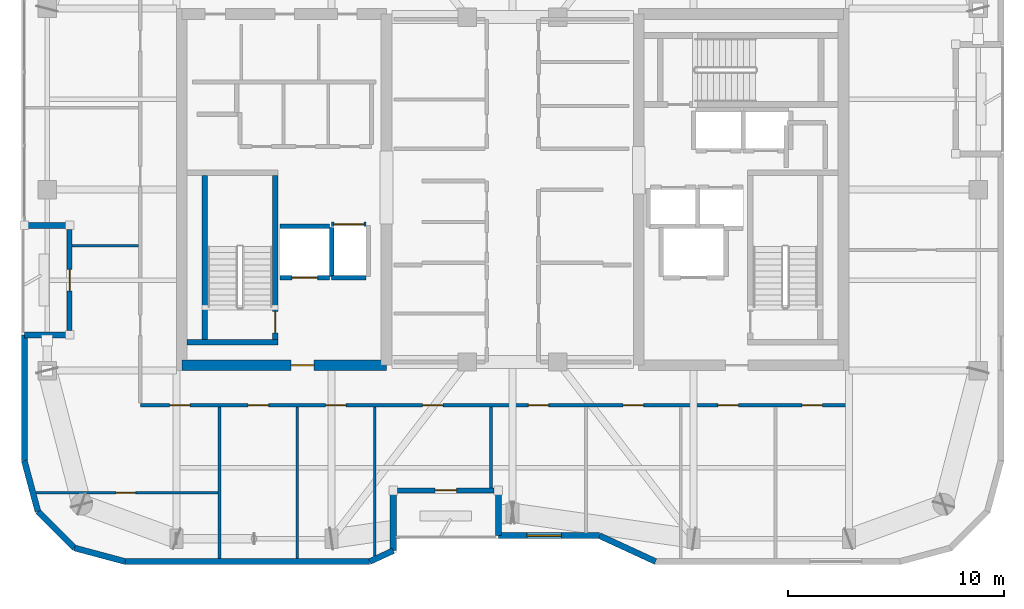
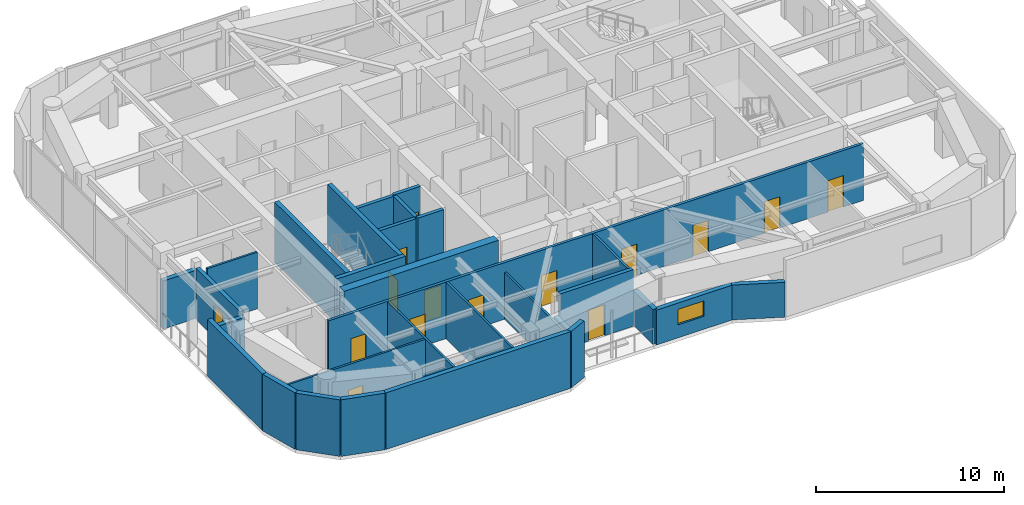
# One storey, part 10 of 16: 30 walls, 15 doors, 1 window, 16 openings.
"""IFC4 building model written with IfcOpenShell, lengths in metres."""

from ifc_helpers import new_model, si_unit, direction, frame, frame_2d, origin, place, context, subcontext, project, spatial, rectangle, extrude, material, layer, layer_set, type_object, element, fill, save


model = new_model("IFC4")

# Units and contexts
model_context = context("Model", 3, precision=1e-05, world=origin(), true_north=direction((0.0, 1.0)))
body_context = subcontext(model_context, "Body", "Model", "MODEL_VIEW")
ifc_project = project(units=[si_unit("LENGTHUNIT", "METRE"), si_unit("AREAUNIT", "SQUARE_METRE"), si_unit("VOLUMEUNIT", "CUBIC_METRE"), si_unit("PLANEANGLEUNIT", "RADIAN"), si_unit("MASSUNIT", "GRAM", prefix="KILO")], contexts=[model_context])

# Site, building, storey
site_placement = place(None, origin())
site = spatial("IfcSite", under=ifc_project, at=site_placement, CompositionType="ELEMENT")
building_placement = place(site_placement, origin())
building = spatial("IfcBuilding", under=site, at=building_placement, Name="Kiyonajd Concourse Tower", CompositionType="ELEMENT")
storey_placement = place(building_placement, frame((0.0, 0.0, 310.199951171875)))
storey = spatial("IfcBuildingStorey", under=building, at=storey_placement, Name="L78", CompositionType="ELEMENT", Elevation=310.199951171875)

# Wall, opening, door
ifc_material_1 = material(Name="Concrete C60/75", Category="concrete")
ifc_layer_1 = layer(ifc_material_1, 0.5)
ifc_layer_set_1 = layer_set([ifc_layer_1], Name="Concrete C60/75")
wall_type_1 = type_object("IfcWallType", Name="WL-CORE-500", PredefinedType="SHEAR", material=ifc_layer_set_1)
wall_1_placement = place(storey_placement, frame((32.64990234375, 27.85009765625, 0.0), z_axis=(0.0, 0.0, 1.0), x_axis=(1.0, 0.0, 0.0)))
wall_1 = element("IfcWall", 1, at=wall_1_placement, inside=storey, type_object=wall_type_1, Name="L78 West Core South Shear Wall", PredefinedType="SHEAR", context=body_context, shape_type="SweptSolid", body=[
    extrude(rectangle(XDim=9.5, YDim=0.5, at=frame_2d((4.75, 0.0))), origin(), (0.0, 0.0, 1.0), 3.900146484375),
])
opening_1_placement = place(wall_1_placement, frame((5.074951171875, 0.0, 0.0)))
opening_1 = element("IfcOpeningElement", 2, at=opening_1_placement, cuts=wall_1, Name="Opening DF5", PredefinedType="OPENING", context=body_context, shape_type="SweptSolid", body=[
    extrude(rectangle(XDim=1.050048828125, YDim=2.0400390625, at=frame_2d((0.52490234375, 1.02001953125))), frame((0.0, 0.260009765625, 0.0), z_axis=(0.0, -1.0, 0.0), x_axis=(1.0, 0.0, 0.0)), (0.0, 0.0, 1.0), 0.52001953125),
])
ifc_material_2 = material(Name="Brushed Stainless Steel Cab Assembly", Category="steel")
door_type_1 = type_object("IfcDoorType", Name="DR-FD45-1050", OperationType="NOTDEFINED", PredefinedType="DOOR", material=ifc_material_2)
door_1_placement = place(opening_1_placement, origin())
door_1 = element("IfcDoor", 3, at=door_1_placement, inside=storey, type_object=door_type_1, Name="L78 Firefighting Lift Lobby W Smoke Door", OperationType="SINGLE_SWING_LEFT", OverallHeight=2.0400390625, OverallWidth=1.050048828125, PredefinedType="DOOR", context=body_context, shape_type="SweptSolid", body=[
    extrude(rectangle(XDim=1.050048828125, YDim=2.0400390625, at=frame_2d((0.52490234375, 1.02001953125))), frame((0.0, 0.02490234375, 0.0), z_axis=(0.0, -1.0, 0.0), x_axis=(1.0, 0.0, 0.0)), (0.0, 0.0, 1.0), 0.050048828125),
])
fill(opening_1, door_1)

# Walls
ifc_material_3 = material(Name="Precast concrete C50/60", Category="concrete")
ifc_layer_2 = layer(ifc_material_3, 0.280029296875)
ifc_layer_set_2 = layer_set([ifc_layer_2], Name="Precast concrete C50/60")
wall_type_2 = type_object("IfcWallType", Name="WL-EXT-280", PredefinedType="SOLIDWALL", material=ifc_layer_set_2)
wall_2_placement = place(storey_placement, frame((25.968505859375, 21.072509765625, 0.0), z_axis=(0.0, 0.0, 1.0), x_axis=(-0.258751159445, 0.965944013639, 0.0)))
element("IfcWall", 4, at=wall_2_placement, inside=storey, type_object=wall_type_2, Name="L78 Exterior Concrete Frame Wall 00", PredefinedType="SOLIDWALL", context=body_context, shape_type="SweptSolid", body=[
    extrude(rectangle(XDim=2.4287109375, YDim=0.280029296875, at=frame_2d((1.21435546875, 0.0))), origin(), (0.0, 0.0, 1.0), 3.679931640625),
])
wall_3_placement = place(storey_placement, frame((25.340087890625, 23.41845703125, 0.0), z_axis=(0.0, 0.0, 1.0), x_axis=(0.0, 1.0, 0.0)))
element("IfcWall", 5, at=wall_3_placement, inside=storey, type_object=wall_type_2, Name="L78 Exterior Concrete Frame Wall 01", PredefinedType="SOLIDWALL", context=body_context, shape_type="SweptSolid", body=[
    extrude(rectangle(XDim=5.841552734375, YDim=0.280029296875, at=frame_2d((2.9208984375, 0.0))), origin(), (0.0, 0.0, 1.0), 3.679931640625),
])
for number, where, z_axis, x_axis, name in (
    (6, (25.340087890625, 29.260009765625, 0.0), (0.0, 0.0, 1.0), (1.0, 0.0, 0.0), "L78 Exterior Concrete Frame Wall 02"),
    (7, (27.43994140625, 34.340087890625, 0.0), (0.0, 0.0, 1.0), (-1.0, 0.0, 0.0), "L78 Exterior Concrete Frame Wall 04"),
):
    element("IfcWall", number, at=place(storey_placement, frame(where, z_axis=z_axis, x_axis=x_axis)), inside=storey, type_object=wall_type_2, Name=name, PredefinedType="SOLIDWALL", context=body_context, shape_type="SweptSolid", body=[
        extrude(rectangle(XDim=2.099853515625, YDim=0.280029296875, at=frame_2d((1.0498046875, 0.0))), origin(), (0.0, 0.0, 1.0), 3.1259765625),
    ])
wall_4_placement = place(storey_placement, frame((54.630615234375, 18.739990234375, 0.0), z_axis=(0.0, 0.0, 1.0), x_axis=(-0.907956889006, 0.419063584324, 0.0)))
element("IfcWall", 8, at=wall_4_placement, inside=storey, type_object=wall_type_2, Name="L78 Exterior Concrete Frame Wall 29", PredefinedType="SOLIDWALL", context=body_context, shape_type="SweptSolid", body=[
    extrude(rectangle(XDim=2.863525390625, YDim=0.280029296875, at=frame_2d((1.431640625, 0.0))), origin(), (0.0, 0.0, 1.0), 2.26513671875),
])

# Wall, opening, window
wall_5_placement = place(storey_placement, frame((52.03076171875, 19.93994140625, 0.0), z_axis=(0.0, 0.0, 1.0), x_axis=(-1.0, 0.0, 0.0)))
wall_5 = element("IfcWall", 9, at=wall_5_placement, inside=storey, type_object=wall_type_2, Name="L78 Exterior Concrete Frame Wall 30", PredefinedType="SOLIDWALL", context=body_context, shape_type="SweptSolid", body=[
    extrude(rectangle(XDim=4.690673828125, YDim=0.280029296875, at=frame_2d((2.34521484375, 0.0))), origin(), (0.0, 0.0, 1.0), 2.26513671875),
])
opening_2_placement = place(wall_5_placement, frame((1.76611328125, 0.0, 0.85009765625)))
opening_2 = element("IfcOpeningElement", 10, at=opening_2_placement, cuts=wall_5, Name="Opening WN6", PredefinedType="OPENING", context=body_context, shape_type="SweptSolid", body=[
    extrude(rectangle(XDim=1.60009765625, YDim=1.0, at=frame_2d((0.800048828125, 0.5))), frame((0.0, 0.14990234375, 0.0), z_axis=(0.0, -1.0, 0.0), x_axis=(1.0, 0.0, 0.0)), (0.0, 0.0, 1.0), 0.300048828125),
])
ifc_material_4 = material(Name="Double Low-E Insulated Glass", Category="glass")
window_type = type_object("IfcWindowType", Name="WN-VIS-1600x1000", PartitioningType="SINGLE_PANEL", PredefinedType="WINDOW", material=ifc_material_4)
window_placement = place(opening_2_placement, origin())
window = element("IfcWindow", 11, at=window_placement, inside=storey, type_object=window_type, Name="L78 Modular Facade Vision Window 30", OverallHeight=1.0, OverallWidth=1.60009765625, PartitioningType="SINGLE_PANEL", PredefinedType="WINDOW", context=body_context, shape_type="SweptSolid", body=[
    extrude(rectangle(XDim=1.60009765625, YDim=1.0, at=frame_2d((0.800048828125, 0.5))), frame((0.0, 0.030029296875, 0.0), z_axis=(0.0, -1.0, 0.0), x_axis=(1.0, 0.0, 0.0)), (0.0, 0.0, 1.0), 0.06005859375),
])
fill(opening_2, window)

# Walls
wall_6_placement = place(storey_placement, frame((47.340087890625, 19.93994140625, 0.0), z_axis=(0.0, 0.0, 1.0), x_axis=(0.0, 1.0, 0.0)))
element("IfcWall", 12, at=wall_6_placement, inside=storey, type_object=wall_type_2, Name="L78 Exterior Concrete Frame Wall 31", PredefinedType="SOLIDWALL", context=body_context, shape_type="SweptSolid", body=[
    extrude(rectangle(XDim=2.10009765625, YDim=0.280029296875, at=frame_2d((1.050048828125, 0.0))), origin(), (0.0, 0.0, 1.0), 2.26513671875),
])
wall_7_placement = place(storey_placement, frame((42.4599609375, 22.0400390625, 0.0), z_axis=(0.0, 0.0, 1.0), x_axis=(0.0, -1.0, 0.0)))
element("IfcWall", 13, at=wall_7_placement, inside=storey, type_object=wall_type_2, Name="L78 Exterior Concrete Frame Wall 33", PredefinedType="SOLIDWALL", context=body_context, shape_type="SweptSolid", body=[
    extrude(rectangle(XDim=2.79638671875, YDim=0.280029296875, at=frame_2d((1.398193359375, 0.0))), origin(), (0.0, 0.0, 1.0), 2.26513671875),
])
wall_8_placement = place(storey_placement, frame((42.4599609375, 19.24365234375, 0.0), z_axis=(0.0, 0.0, 1.0), x_axis=(-0.907893953211, -0.419199916176, 0.0)))
element("IfcWall", 14, at=wall_8_placement, inside=storey, type_object=wall_type_2, Name="L78 Exterior Concrete Frame Wall 34", PredefinedType="SOLIDWALL", context=body_context, shape_type="SweptSolid", body=[
    extrude(rectangle(XDim=1.201416015625, YDim=0.280029296875, at=frame_2d((0.6005859375, 0.0))), origin(), (0.0, 0.0, 1.0), 3.679931640625),
])
wall_9_placement = place(storey_placement, frame((41.369140625, 18.739990234375, 0.0), z_axis=(0.0, 0.0, 1.0), x_axis=(-1.0, 0.0, 0.0)))
element("IfcWall", 15, at=wall_9_placement, inside=storey, type_object=wall_type_2, Name="L78 Exterior Concrete Frame Wall 35", PredefinedType="SOLIDWALL", context=body_context, shape_type="SweptSolid", body=[
    extrude(rectangle(XDim=11.350830078125, YDim=0.280029296875, at=frame_2d((5.67529296875, 0.0))), origin(), (0.0, 0.0, 1.0), 3.679931640625),
])
wall_10_placement = place(storey_placement, frame((30.018310546875, 18.739990234375, 0.0), z_axis=(0.0, 0.0, 1.0), x_axis=(-0.965937282298, 0.25877628691, 0.0)))
element("IfcWall", 16, at=wall_10_placement, inside=storey, type_object=wall_type_2, Name="L78 Exterior Concrete Frame Wall 36", PredefinedType="SOLIDWALL", context=body_context, shape_type="SweptSolid", body=[
    extrude(rectangle(XDim=2.428466796875, YDim=0.280029296875, at=frame_2d((1.21435546875, 0.0))), origin(), (0.0, 0.0, 1.0), 3.679931640625),
])
wall_11_placement = place(storey_placement, frame((27.672607421875, 19.368408203125, 0.0), z_axis=(0.0, 0.0, 1.0), x_axis=(-0.707106781187, 0.707106781187, 0.0)))
element("IfcWall", 17, at=wall_11_placement, inside=storey, type_object=wall_type_2, Name="L78 Exterior Concrete Frame Wall 37", PredefinedType="SOLIDWALL", context=body_context, shape_type="SweptSolid", body=[
    extrude(rectangle(XDim=2.409912109375, YDim=0.280029296875, at=frame_2d((1.205078125, 0.0))), origin(), (0.0, 0.0, 1.0), 3.679931640625),
])

# Wall, opening, door
ifc_layer_3 = layer(ifc_material_3, 0.239990234375)
ifc_layer_set_3 = layer_set([ifc_layer_3], Name="Precast concrete C50/60")
wall_type_3 = type_object("IfcWallType", Name="WL-LOG-240", PredefinedType="SOLIDWALL", material=ifc_layer_set_3)
wall_12_placement = place(storey_placement, frame((27.43994140625, 29.455078125, 0.0), z_axis=(0.0, 0.0, 1.0), x_axis=(0.0, 1.0, 0.0)))
wall_12 = element("IfcWall", 18, at=wall_12_placement, inside=storey, type_object=wall_type_3, Name="L78 Recessed Loggia Thermal Wall LOG-W", PredefinedType="SOLIDWALL", context=body_context, shape_type="SweptSolid", body=[
    extrude(rectangle(XDim=4.68994140625, YDim=0.239990234375, at=frame_2d((2.344970703125, 0.0))), origin(), (0.0, 0.0, 1.0), 3.31103515625),
])
opening_3_placement = place(wall_12_placement, frame((1.844970703125, 0.0, 0.0)))
opening_3 = element("IfcOpeningElement", 19, at=opening_3_placement, cuts=wall_12, Name="Opening DL1", PredefinedType="OPENING", context=body_context, shape_type="SweptSolid", body=[
    extrude(rectangle(XDim=1.0, YDim=2.02001953125, at=frame_2d((0.5, 1.010009765625))), frame((0.0, 0.1298828125, 0.0), z_axis=(0.0, -1.0, 0.0), x_axis=(1.0, 0.0, 0.0)), (0.0, 0.0, 1.0), 0.260009765625),
])
ifc_material_5 = material(Name="Thermally Broken Anodised Aluminium", Category="aluminium")
door_type_2 = type_object("IfcDoorType", Name="DR-LOG-1000", OperationType="NOTDEFINED", PredefinedType="DOOR", material=ifc_material_5)
door_2_placement = place(opening_3_placement, origin())
door_2 = element("IfcDoor", 20, at=door_2_placement, inside=storey, type_object=door_type_2, Name="L78 Engawa Loggia Access Door LOG-W", OperationType="SINGLE_SWING_LEFT", OverallHeight=2.02001953125, OverallWidth=1.0, PredefinedType="DOOR", context=body_context, shape_type="SweptSolid", body=[
    extrude(rectangle(XDim=1.0, YDim=2.02001953125, at=frame_2d((0.5, 1.010009765625))), frame((0.0, 0.02490234375, 0.0), z_axis=(0.0, -1.0, 0.0), x_axis=(1.0, 0.0, 0.0)), (0.0, 0.0, 1.0), 0.050048828125),
])
fill(opening_3, door_2)

wall_13_placement = place(storey_placement, frame((47.14501953125, 22.0400390625, 0.0), z_axis=(0.0, 0.0, 1.0), x_axis=(-1.0, 0.0, 0.0)))
wall_13 = element("IfcWall", 21, at=wall_13_placement, inside=storey, type_object=wall_type_3, Name="L78 Recessed Loggia Thermal Wall LOG-S", PredefinedType="SOLIDWALL", context=body_context, shape_type="SweptSolid", body=[
    extrude(rectangle(XDim=4.489990234375, YDim=0.239990234375, at=frame_2d((2.2451171875, 0.0))), origin(), (0.0, 0.0, 1.0), 3.679931640625),
])
opening_4_placement = place(wall_13_placement, frame((1.7451171875, 0.0, 0.0)))
opening_4 = element("IfcOpeningElement", 22, at=opening_4_placement, cuts=wall_13, Name="Opening DL1", PredefinedType="OPENING", context=body_context, shape_type="SweptSolid", body=[
    extrude(rectangle(XDim=1.0, YDim=2.02001953125, at=frame_2d((0.5, 1.010009765625))), frame((0.0, 0.1298828125, 0.0), z_axis=(0.0, -1.0, 0.0), x_axis=(1.0, 0.0, 0.0)), (0.0, 0.0, 1.0), 0.260009765625),
])
door_3_placement = place(opening_4_placement, origin())
door_3 = element("IfcDoor", 23, at=door_3_placement, inside=storey, type_object=door_type_2, Name="L78 Engawa Loggia Access Door LOG-S", OperationType="SINGLE_SWING_RIGHT", OverallHeight=2.02001953125, OverallWidth=1.0, PredefinedType="DOOR", context=body_context, shape_type="SweptSolid", body=[
    extrude(rectangle(XDim=1.0, YDim=2.02001953125, at=frame_2d((0.5, 1.010009765625))), frame((0.0, 0.02490234375, 0.0), z_axis=(0.0, -1.0, 0.0), x_axis=(1.0, 0.0, 0.0)), (0.0, 0.0, 1.0), 0.050048828125),
])
fill(opening_4, door_3)

ifc_material_6 = material(Name="Gypsum Board on Cold-Formed Steel Stud", Category="steel")
ifc_layer_4 = layer(ifc_material_6, 0.125)
ifc_layer_set_4 = layer_set([ifc_layer_4], Name="Gypsum Board on Cold-Formed Steel Stud")
wall_type_4 = type_object("IfcWallType", Name="WL-PART-125", PredefinedType="PARTITIONING", material=ifc_layer_set_4)
wall_14_placement = place(storey_placement, frame((25.885009765625, 21.929931640625, 0.0), z_axis=(0.0, 0.0, 1.0), x_axis=(1.0, 0.0, 0.0)))
wall_14 = element("IfcWall", 24, at=wall_14_placement, inside=storey, type_object=wall_type_4, Name="L78 Interior Partition Wall", PredefinedType="PARTITIONING", context=body_context, shape_type="SweptSolid", body=[
    extrude(rectangle(XDim=8.514892578125, YDim=0.125, at=frame_2d((4.25732421875, 0.0))), origin(), (0.0, 0.0, 1.0), 3.679931640625),
])
opening_5_placement = place(wall_14_placement, frame((3.715087890625, 0.0, 0.0)))
opening_5 = element("IfcOpeningElement", 25, at=opening_5_placement, cuts=wall_14, Name="Opening DI2", PredefinedType="OPENING", context=body_context, shape_type="SweptSolid", body=[
    extrude(rectangle(XDim=0.89990234375, YDim=2.02001953125, at=frame_2d((0.449951171875, 1.010009765625))), frame((0.0, 0.072509765625, 0.0), z_axis=(0.0, -1.0, 0.0), x_axis=(1.0, 0.0, 0.0)), (0.0, 0.0, 1.0), 0.14501953125),
])
ifc_material_7 = material(Name="Natural Oak Acoustic Timber Veneer", Category="wood")
door_type_3 = type_object("IfcDoorType", Name="DR-INT-900", OperationType="NOTDEFINED", PredefinedType="DOOR", material=ifc_material_7)
door_4_placement = place(opening_5_placement, origin())
door_4 = element("IfcDoor", 26, at=door_4_placement, inside=storey, type_object=door_type_3, Name="L78 Interior Door", OperationType="SINGLE_SWING_LEFT", OverallHeight=2.02001953125, OverallWidth=0.89990234375, PredefinedType="DOOR", context=body_context, shape_type="SweptSolid", body=[
    extrude(rectangle(XDim=0.89990234375, YDim=2.02001953125, at=frame_2d((0.449951171875, 1.010009765625))), frame((0.0, 0.02490234375, 0.0), z_axis=(0.0, -1.0, 0.0), x_axis=(1.0, 0.0, 0.0)), (0.0, 0.0, 1.0), 0.050048828125),
])
fill(opening_5, door_4)

# Walls
for number, where, z_axis, x_axis, name in (
    (27, (34.39990234375, 18.875, 0.0), (0.0, 0.0, 1.0), (0.0, 1.0, 0.0), "L78 Interior Partition Wall"),
    (28, (38.0, 18.875, 0.0), (0.0, 0.0, 1.0), (0.0, 1.0, 0.0), "L78 Interior Partition Wall"),
):
    element("IfcWall", number, at=place(storey_placement, frame(where, z_axis=z_axis, x_axis=x_axis)), inside=storey, type_object=wall_type_4, Name=name, PredefinedType="PARTITIONING", context=body_context, shape_type="SweptSolid", body=[
        extrude(rectangle(XDim=7.0380859375, YDim=0.125, at=frame_2d((3.51904296875, 0.0))), origin(), (0.0, 0.0, 1.0), 3.679931640625),
    ])
wall_15_placement = place(storey_placement, frame((41.60009765625, 18.998046875, 0.0), z_axis=(0.0, 0.0, 1.0), x_axis=(0.0, 1.0, 0.0)))
element("IfcWall", 29, at=wall_15_placement, inside=storey, type_object=wall_type_4, Name="L78 Interior Partition Wall", PredefinedType="PARTITIONING", context=body_context, shape_type="SweptSolid", body=[
    extrude(rectangle(XDim=6.9150390625, YDim=0.125, at=frame_2d((3.45751953125, 0.0))), origin(), (0.0, 0.0, 1.0), 3.04296875),
])
wall_16_placement = place(storey_placement, frame((47.0, 22.155029296875, 0.0), z_axis=(0.0, 0.0, 1.0), x_axis=(0.0, 1.0, 0.0)))
element("IfcWall", 30, at=wall_16_placement, inside=storey, type_object=wall_type_4, Name="L78 Interior Partition Wall", PredefinedType="PARTITIONING", context=body_context, shape_type="SweptSolid", body=[
    extrude(rectangle(XDim=3.758056640625, YDim=0.125, at=frame_2d((1.87890625, 0.0))), origin(), (0.0, 0.0, 1.0), 3.679931640625),
])
wall_17_placement = place(storey_placement, frame((27.554931640625, 33.39990234375, 0.0), z_axis=(0.0, 0.0, 1.0), x_axis=(1.0, 0.0, 0.0)))
element("IfcWall", 31, at=wall_17_placement, inside=storey, type_object=wall_type_4, Name="L78 Interior Partition Wall", PredefinedType="PARTITIONING", context=body_context, shape_type="SweptSolid", body=[
    extrude(rectangle(XDim=3.0830078125, YDim=0.125, at=frame_2d((1.54150390625, 0.0))), origin(), (0.0, 0.0, 1.0), 3.679931640625),
])

# Wall, opening, door
ifc_layer_5 = layer(ifc_material_6, 0.2099609375)
ifc_layer_set_5 = layer_set([ifc_layer_5], Name="Gypsum Board on Cold-Formed Steel Stud")
wall_type_5 = type_object("IfcWallType", Name="WL-SHAFT-210", PredefinedType="PARTITIONING", material=ifc_layer_set_5)
wall_18_placement = place(storey_placement, frame((37.199951171875, 31.89990234375, 0.0), z_axis=(0.0, 0.0, 1.0), x_axis=(1.0, 0.0, 0.0)))
wall_18 = element("IfcWall", 32, at=wall_18_placement, inside=storey, type_object=wall_type_5, Name="L78 Shaft Enclosure Wall", PredefinedType="PARTITIONING", context=body_context, shape_type="SweptSolid", body=[
    extrude(rectangle(XDim=2.300048828125, YDim=0.2099609375, at=frame_2d((1.14990234375, 0.0))), origin(), (0.0, 0.0, 1.0), 3.679931640625),
])
opening_6_placement = place(wall_18_placement, frame((0.550048828125, 0.0, 0.0)))
opening_6 = element("IfcOpeningElement", 33, at=opening_6_placement, cuts=wall_18, Name="Opening LD2", PredefinedType="OPENING", context=body_context, shape_type="SweptSolid", body=[
    extrude(rectangle(XDim=1.199951171875, YDim=2.0400390625, at=frame_2d((0.60009765625, 1.02001953125))), frame((0.0, 0.114990234375, 0.0), z_axis=(0.0, -1.0, 0.0), x_axis=(1.0, 0.0, 0.0)), (0.0, 0.0, 1.0), 0.22998046875),
])
door_type_4 = type_object("IfcDoorType", Name="DR-LD-1200", OperationType="DOUBLE_DOOR_SLIDING", PredefinedType="DOOR", material=ifc_material_2)
door_5_placement = place(opening_6_placement, origin())
door_5 = element("IfcDoor", 34, at=door_5_placement, inside=storey, type_object=door_type_4, Name="L78 Lift FFL1 Sliding Landing Door", OperationType="DOUBLE_DOOR_SLIDING", OverallHeight=2.0400390625, OverallWidth=1.199951171875, PredefinedType="DOOR", context=body_context, shape_type="SweptSolid", body=[
    extrude(rectangle(XDim=1.199951171875, YDim=2.0400390625, at=frame_2d((0.60009765625, 1.02001953125))), frame((0.0, 0.02490234375, 0.0), z_axis=(0.0, -1.0, 0.0), x_axis=(1.0, 0.0, 0.0)), (0.0, 0.0, 1.0), 0.050048828125),
])
fill(opening_6, door_5)

# Walls
wall_19_placement = place(storey_placement, frame((37.199951171875, 34.300048828125, 0.0), z_axis=(0.0, 0.0, 1.0), x_axis=(1.0, 0.0, 0.0)))
element("IfcWall", 35, at=wall_19_placement, inside=storey, type_object=wall_type_5, Name="L78 Shaft Enclosure Wall", PredefinedType="PARTITIONING", context=body_context, shape_type="SweptSolid", body=[
    extrude(rectangle(XDim=2.300048828125, YDim=0.2099609375, at=frame_2d((1.14990234375, 0.0))), origin(), (0.0, 0.0, 1.0), 3.679931640625),
])
wall_20_placement = place(storey_placement, frame((39.60009765625, 31.9599609375, 0.0), z_axis=(0.0, 0.0, 1.0), x_axis=(0.0, 1.0, 0.0)))
element("IfcWall", 36, at=wall_20_placement, inside=storey, type_object=wall_type_5, Name="L78 Shaft Enclosure Wall", PredefinedType="PARTITIONING", context=body_context, shape_type="SweptSolid", body=[
    extrude(rectangle(XDim=2.280029296875, YDim=0.2099609375, at=frame_2d((1.14013671875, 0.0))), origin(), (0.0, 0.0, 1.0), 3.679931640625),
])

# Wall, opening, door
wall_21_placement = place(storey_placement, frame((39.60009765625, 34.39990234375, 0.0), z_axis=(0.0, 0.0, 1.0), x_axis=(1.0, 0.0, 0.0)))
wall_21 = element("IfcWall", 37, at=wall_21_placement, inside=storey, type_object=wall_type_5, Name="L78 Shaft Enclosure Wall", PredefinedType="PARTITIONING", context=body_context, shape_type="SweptSolid", body=[
    extrude(rectangle(XDim=1.599853515625, YDim=0.2099609375, at=frame_2d((0.7998046875, 0.0))), origin(), (0.0, 0.0, 1.0), 3.679931640625),
])
opening_7_placement = place(wall_21_placement, frame((0.10009765625, 0.0, 0.0)))
opening_7 = element("IfcOpeningElement", 38, at=opening_7_placement, cuts=wall_21, Name="Opening LD3", PredefinedType="OPENING", context=body_context, shape_type="SweptSolid", body=[
    extrude(rectangle(XDim=1.39990234375, YDim=2.06005859375, at=frame_2d((0.699951171875, 1.030029296875))), frame((0.0, 0.114990234375, 0.0), z_axis=(0.0, -1.0, 0.0), x_axis=(1.0, 0.0, 0.0)), (0.0, 0.0, 1.0), 0.22998046875),
])
door_type_5 = type_object("IfcDoorType", Name="DR-LD-1400", OperationType="DOUBLE_DOOR_SLIDING", PredefinedType="DOOR", material=ifc_material_2)
door_6_placement = place(opening_7_placement, origin())
door_6 = element("IfcDoor", 39, at=door_6_placement, inside=storey, type_object=door_type_5, Name="L78 Lift SVL1 Sliding Landing Door", OperationType="DOUBLE_DOOR_SLIDING", OverallHeight=2.06005859375, OverallWidth=1.39990234375, PredefinedType="DOOR", context=body_context, shape_type="SweptSolid", body=[
    extrude(rectangle(XDim=1.39990234375, YDim=2.06005859375, at=frame_2d((0.699951171875, 1.030029296875))), frame((0.0, 0.02490234375, 0.0), z_axis=(0.0, -1.0, 0.0), x_axis=(1.0, 0.0, 0.0)), (0.0, 0.0, 1.0), 0.050048828125),
])
fill(opening_7, door_6)

# Wall
wall_22_placement = place(storey_placement, frame((39.60009765625, 31.89990234375, 0.0), z_axis=(0.0, 0.0, 1.0), x_axis=(1.0, 0.0, 0.0)))
element("IfcWall", 40, at=wall_22_placement, inside=storey, type_object=wall_type_5, Name="L78 Shaft Enclosure Wall", PredefinedType="PARTITIONING", context=body_context, shape_type="SweptSolid", body=[
    extrude(rectangle(XDim=1.599853515625, YDim=0.2099609375, at=frame_2d((0.7998046875, 0.0))), origin(), (0.0, 0.0, 1.0), 3.679931640625),
])

# Wall, openings, doors
ifc_layer_6 = layer(ifc_material_6, 0.169921875)
ifc_layer_set_6 = layer_set([ifc_layer_6], Name="Gypsum Board on Cold-Formed Steel Stud")
wall_type_6 = type_object("IfcWallType", Name="WL-SMK-170", PredefinedType="PARTITIONING", material=ifc_layer_set_6)
wall_23_placement = place(storey_placement, frame((30.72509765625, 26.0, 0.0), z_axis=(0.0, 0.0, 1.0), x_axis=(1.0, 0.0, 0.0)))
wall_23 = element("IfcWall", 41, at=wall_23_placement, inside=storey, type_object=wall_type_6, Name="L78 Interior Partition Wall", PredefinedType="PARTITIONING", context=body_context, shape_type="SweptSolid", body=[
    extrude(rectangle(XDim=32.875, YDim=0.169921875, at=frame_2d((16.4375, 0.0))), origin(), (0.0, 0.0, 1.0), 3.679931640625),
])
opening_8_placement = place(wall_23_placement, frame((1.362060546875, 0.0, 0.0)))
opening_8 = element("IfcOpeningElement", 42, at=opening_8_placement, cuts=wall_23, Name="Opening DI1", PredefinedType="OPENING", context=body_context, shape_type="SweptSolid", body=[
    extrude(rectangle(XDim=0.949951171875, YDim=2.0400390625, at=frame_2d((0.47509765625, 1.02001953125))), frame((0.0, 0.094970703125, 0.0), z_axis=(0.0, -1.0, 0.0), x_axis=(1.0, 0.0, 0.0)), (0.0, 0.0, 1.0), 0.18994140625),
])
opening_9_placement = place(wall_23_placement, frame((5.0, 0.0, 0.0)))
opening_9 = element("IfcOpeningElement", 43, at=opening_9_placement, cuts=wall_23, Name="Opening DI1", PredefinedType="OPENING", context=body_context, shape_type="SweptSolid", body=[
    extrude(rectangle(XDim=0.949951171875, YDim=2.0400390625, at=frame_2d((0.47509765625, 1.02001953125))), frame((0.0, 0.094970703125, 0.0), z_axis=(0.0, -1.0, 0.0), x_axis=(1.0, 0.0, 0.0)), (0.0, 0.0, 1.0), 0.18994140625),
])
opening_10_placement = place(wall_23_placement, frame((8.60009765625, 0.0, 0.0)))
opening_10 = element("IfcOpeningElement", 44, at=opening_10_placement, cuts=wall_23, Name="Opening DI1", PredefinedType="OPENING", context=body_context, shape_type="SweptSolid", body=[
    extrude(rectangle(XDim=0.949951171875, YDim=2.0400390625, at=frame_2d((0.47509765625, 1.02001953125))), frame((0.0, 0.094970703125, 0.0), z_axis=(0.0, -1.0, 0.0), x_axis=(1.0, 0.0, 0.0)), (0.0, 0.0, 1.0), 0.18994140625),
])
opening_11_placement = place(wall_23_placement, frame((13.10009765625, 0.0, 0.0)))
opening_11 = element("IfcOpeningElement", 45, at=opening_11_placement, cuts=wall_23, Name="Opening DI1", PredefinedType="OPENING", context=body_context, shape_type="SweptSolid", body=[
    extrude(rectangle(XDim=0.949951171875, YDim=2.0400390625, at=frame_2d((0.47509765625, 1.02001953125))), frame((0.0, 0.094970703125, 0.0), z_axis=(0.0, -1.0, 0.0), x_axis=(1.0, 0.0, 0.0)), (0.0, 0.0, 1.0), 0.18994140625),
])
opening_12_placement = place(wall_23_placement, frame((18.0, 0.0, 0.0)))
opening_12 = element("IfcOpeningElement", 46, at=opening_12_placement, cuts=wall_23, Name="Opening DI1", PredefinedType="OPENING", context=body_context, shape_type="SweptSolid", body=[
    extrude(rectangle(XDim=0.949951171875, YDim=2.0400390625, at=frame_2d((0.47509765625, 1.02001953125))), frame((0.0, 0.094970703125, 0.0), z_axis=(0.0, -1.0, 0.0), x_axis=(1.0, 0.0, 0.0)), (0.0, 0.0, 1.0), 0.18994140625),
])
opening_13_placement = place(wall_23_placement, frame((22.39990234375, 0.0, 0.0)))
opening_13 = element("IfcOpeningElement", 47, at=opening_13_placement, cuts=wall_23, Name="Opening DI1", PredefinedType="OPENING", context=body_context, shape_type="SweptSolid", body=[
    extrude(rectangle(XDim=0.949951171875, YDim=2.0400390625, at=frame_2d((0.47509765625, 1.02001953125))), frame((0.0, 0.094970703125, 0.0), z_axis=(0.0, -1.0, 0.0), x_axis=(1.0, 0.0, 0.0)), (0.0, 0.0, 1.0), 0.18994140625),
])
opening_14_placement = place(wall_23_placement, frame((26.800048828125, 0.0, 0.0)))
opening_14 = element("IfcOpeningElement", 48, at=opening_14_placement, cuts=wall_23, Name="Opening DI1", PredefinedType="OPENING", context=body_context, shape_type="SweptSolid", body=[
    extrude(rectangle(XDim=0.949951171875, YDim=2.0400390625, at=frame_2d((0.47509765625, 1.02001953125))), frame((0.0, 0.094970703125, 0.0), z_axis=(0.0, -1.0, 0.0), x_axis=(1.0, 0.0, 0.0)), (0.0, 0.0, 1.0), 0.18994140625),
])
opening_15_placement = place(wall_23_placement, frame((30.699951171875, 0.0, 0.0)))
opening_15 = element("IfcOpeningElement", 49, at=opening_15_placement, cuts=wall_23, Name="Opening DI1", PredefinedType="OPENING", context=body_context, shape_type="SweptSolid", body=[
    extrude(rectangle(XDim=0.949951171875, YDim=2.0400390625, at=frame_2d((0.47509765625, 1.02001953125))), frame((0.0, 0.094970703125, 0.0), z_axis=(0.0, -1.0, 0.0), x_axis=(1.0, 0.0, 0.0)), (0.0, 0.0, 1.0), 0.18994140625),
])
door_type_6 = type_object("IfcDoorType", Name="DR-INT-950", OperationType="NOTDEFINED", PredefinedType="DOOR", material=ifc_material_7)
door_7_placement = place(opening_8_placement, origin())
door_7 = element("IfcDoor", 50, at=door_7_placement, inside=storey, type_object=door_type_6, Name="L78 Interior Door", OperationType="SINGLE_SWING_RIGHT", OverallHeight=2.0400390625, OverallWidth=0.949951171875, PredefinedType="DOOR", context=body_context, shape_type="SweptSolid", body=[
    extrude(rectangle(XDim=0.949951171875, YDim=2.0400390625, at=frame_2d((0.47509765625, 1.02001953125))), frame((0.0, 0.02490234375, 0.0), z_axis=(0.0, -1.0, 0.0), x_axis=(1.0, 0.0, 0.0)), (0.0, 0.0, 1.0), 0.050048828125),
])
fill(opening_8, door_7)
door_8_placement = place(opening_9_placement, origin())
door_8 = element("IfcDoor", 51, at=door_8_placement, inside=storey, type_object=door_type_6, Name="L78 Interior Door", OperationType="SINGLE_SWING_LEFT", OverallHeight=2.0400390625, OverallWidth=0.949951171875, PredefinedType="DOOR", context=body_context, shape_type="SweptSolid", body=[
    extrude(rectangle(XDim=0.949951171875, YDim=2.0400390625, at=frame_2d((0.47509765625, 1.02001953125))), frame((0.0, 0.02490234375, 0.0), z_axis=(0.0, -1.0, 0.0), x_axis=(1.0, 0.0, 0.0)), (0.0, 0.0, 1.0), 0.050048828125),
])
fill(opening_9, door_8)
door_9_placement = place(opening_10_placement, origin())
door_9 = element("IfcDoor", 52, at=door_9_placement, inside=storey, type_object=door_type_6, Name="L78 Interior Door", OperationType="SINGLE_SWING_RIGHT", OverallHeight=2.0400390625, OverallWidth=0.949951171875, PredefinedType="DOOR", context=body_context, shape_type="SweptSolid", body=[
    extrude(rectangle(XDim=0.949951171875, YDim=2.0400390625, at=frame_2d((0.47509765625, 1.02001953125))), frame((0.0, 0.02490234375, 0.0), z_axis=(0.0, -1.0, 0.0), x_axis=(1.0, 0.0, 0.0)), (0.0, 0.0, 1.0), 0.050048828125),
])
fill(opening_10, door_9)
door_10_placement = place(opening_11_placement, origin())
door_10 = element("IfcDoor", 53, at=door_10_placement, inside=storey, type_object=door_type_6, Name="L78 Interior Door", OperationType="SINGLE_SWING_LEFT", OverallHeight=2.0400390625, OverallWidth=0.949951171875, PredefinedType="DOOR", context=body_context, shape_type="SweptSolid", body=[
    extrude(rectangle(XDim=0.949951171875, YDim=2.0400390625, at=frame_2d((0.47509765625, 1.02001953125))), frame((0.0, 0.02490234375, 0.0), z_axis=(0.0, -1.0, 0.0), x_axis=(1.0, 0.0, 0.0)), (0.0, 0.0, 1.0), 0.050048828125),
])
fill(opening_11, door_10)
door_11_placement = place(opening_12_placement, origin())
door_11 = element("IfcDoor", 54, at=door_11_placement, inside=storey, type_object=door_type_6, Name="L78 Interior Door", OperationType="SINGLE_SWING_RIGHT", OverallHeight=2.0400390625, OverallWidth=0.949951171875, PredefinedType="DOOR", context=body_context, shape_type="SweptSolid", body=[
    extrude(rectangle(XDim=0.949951171875, YDim=2.0400390625, at=frame_2d((0.47509765625, 1.02001953125))), frame((0.0, 0.02490234375, 0.0), z_axis=(0.0, -1.0, 0.0), x_axis=(1.0, 0.0, 0.0)), (0.0, 0.0, 1.0), 0.050048828125),
])
fill(opening_12, door_11)
door_12_placement = place(opening_13_placement, origin())
door_12 = element("IfcDoor", 55, at=door_12_placement, inside=storey, type_object=door_type_6, Name="L78 Interior Door", OperationType="SINGLE_SWING_LEFT", OverallHeight=2.0400390625, OverallWidth=0.949951171875, PredefinedType="DOOR", context=body_context, shape_type="SweptSolid", body=[
    extrude(rectangle(XDim=0.949951171875, YDim=2.0400390625, at=frame_2d((0.47509765625, 1.02001953125))), frame((0.0, 0.02490234375, 0.0), z_axis=(0.0, -1.0, 0.0), x_axis=(1.0, 0.0, 0.0)), (0.0, 0.0, 1.0), 0.050048828125),
])
fill(opening_13, door_12)
door_13_placement = place(opening_14_placement, origin())
door_13 = element("IfcDoor", 56, at=door_13_placement, inside=storey, type_object=door_type_6, Name="L78 Interior Door", OperationType="SINGLE_SWING_RIGHT", OverallHeight=2.0400390625, OverallWidth=0.949951171875, PredefinedType="DOOR", context=body_context, shape_type="SweptSolid", body=[
    extrude(rectangle(XDim=0.949951171875, YDim=2.0400390625, at=frame_2d((0.47509765625, 1.02001953125))), frame((0.0, 0.02490234375, 0.0), z_axis=(0.0, -1.0, 0.0), x_axis=(1.0, 0.0, 0.0)), (0.0, 0.0, 1.0), 0.050048828125),
])
fill(opening_14, door_13)
door_14_placement = place(opening_15_placement, origin())
door_14 = element("IfcDoor", 57, at=door_14_placement, inside=storey, type_object=door_type_6, Name="L78 Interior Door", OperationType="SINGLE_SWING_LEFT", OverallHeight=2.0400390625, OverallWidth=0.949951171875, PredefinedType="DOOR", context=body_context, shape_type="SweptSolid", body=[
    extrude(rectangle(XDim=0.949951171875, YDim=2.0400390625, at=frame_2d((0.47509765625, 1.02001953125))), frame((0.0, 0.02490234375, 0.0), z_axis=(0.0, -1.0, 0.0), x_axis=(1.0, 0.0, 0.0)), (0.0, 0.0, 1.0), 0.050048828125),
])
fill(opening_15, door_14)

# Walls
ifc_material_8 = material(Name="Concrete C50/60", Category="concrete")
ifc_layer_7 = layer(ifc_material_8, 0.260009765625)
ifc_layer_set_7 = layer_set([ifc_layer_7], Name="Concrete C50/60")
wall_type_7 = type_object("IfcWallType", Name="WL-STAIR-260", PredefinedType="SHEAR", material=ifc_layer_set_7)
wall_24_placement = place(storey_placement, frame((32.89990234375, 28.919921875, 0.0), z_axis=(0.0, 0.0, 1.0), x_axis=(1.0, 0.0, 0.0)))
element("IfcWall", 58, at=wall_24_placement, inside=storey, type_object=wall_type_7, Name="L78 Stair ST1 Structural South Wall", PredefinedType="SHEAR", context=body_context, shape_type="SweptSolid", body=[
    extrude(rectangle(XDim=4.210205078125, YDim=0.260009765625, at=frame_2d((2.10498046875, 0.0))), origin(), (0.0, 0.0, 1.0), 3.900146484375),
])
wall_25_placement = place(storey_placement, frame((33.719970703125, 29.050048828125, 0.0), z_axis=(0.0, 0.0, 1.0), x_axis=(0.0, 1.0, 0.0)))
element("IfcWall", 59, at=wall_25_placement, inside=storey, type_object=wall_type_7, Name="L78 Stair ST1 Structural West Wall", PredefinedType="SHEAR", context=body_context, shape_type="SweptSolid", body=[
    extrude(rectangle(XDim=7.599853515625, YDim=0.260009765625, at=frame_2d((3.7998046875, 0.0))), origin(), (0.0, 0.0, 1.0), 3.900146484375),
])

# Wall, opening, door
wall_26_placement = place(storey_placement, frame((36.97998046875, 29.050048828125, 0.0), z_axis=(0.0, 0.0, 1.0), x_axis=(0.0, 1.0, 0.0)))
wall_26 = element("IfcWall", 60, at=wall_26_placement, inside=storey, type_object=wall_type_7, Name="L78 Stair ST1 Structural East Wall", PredefinedType="SHEAR", context=body_context, shape_type="SweptSolid", body=[
    extrude(rectangle(XDim=7.599853515625, YDim=0.260009765625, at=frame_2d((3.7998046875, 0.0))), origin(), (0.0, 0.0, 1.0), 3.900146484375),
])
opening_16_placement = place(wall_26_placement, frame((0.300048828125, 0.0, 0.0)))
opening_16 = element("IfcOpeningElement", 61, at=opening_16_placement, cuts=wall_26, Name="Opening DF1", PredefinedType="OPENING", context=body_context, shape_type="SweptSolid", body=[
    extrude(rectangle(XDim=1.0, YDim=2.0400390625, at=frame_2d((0.5, 1.02001953125))), frame((0.0, 0.139892578125, 0.0), z_axis=(0.0, -1.0, 0.0), x_axis=(1.0, 0.0, 0.0)), (0.0, 0.0, 1.0), 0.280029296875),
])
door_type_7 = type_object("IfcDoorType", Name="DR-FD90-1000", OperationType="NOTDEFINED", PredefinedType="DOOR", material=ifc_material_2)
door_15_placement = place(opening_16_placement, origin())
door_15 = element("IfcDoor", 62, at=door_15_placement, inside=storey, type_object=door_type_7, Name="L78 Stair ST1 FSAE Door", OperationType="SINGLE_SWING_LEFT", OverallHeight=2.0400390625, OverallWidth=1.0, PredefinedType="DOOR", context=body_context, shape_type="SweptSolid", body=[
    extrude(rectangle(XDim=1.0, YDim=2.0400390625, at=frame_2d((0.5, 1.02001953125))), frame((0.0, 0.02490234375, 0.0), z_axis=(0.0, -1.0, 0.0), x_axis=(1.0, 0.0, 0.0)), (0.0, 0.0, 1.0), 0.050048828125),
])
fill(opening_16, door_15)

save(model, "model.ifc")
